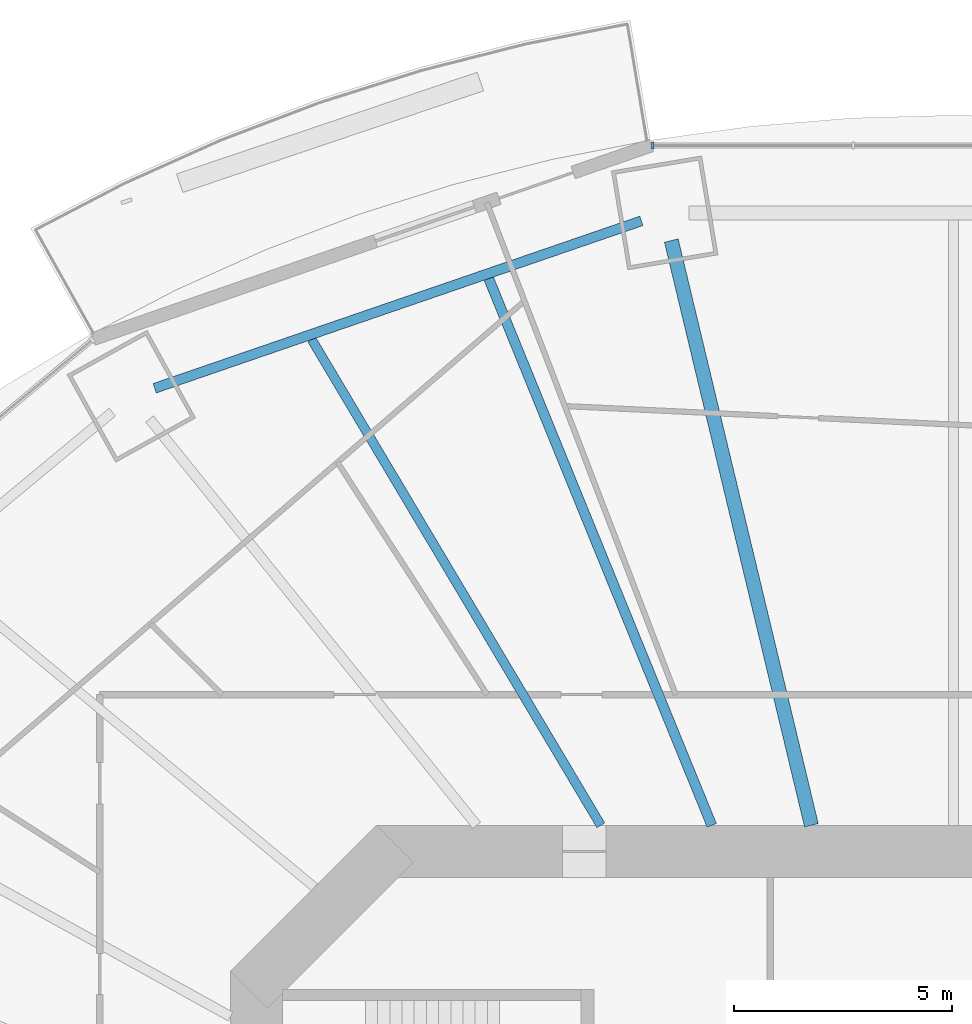
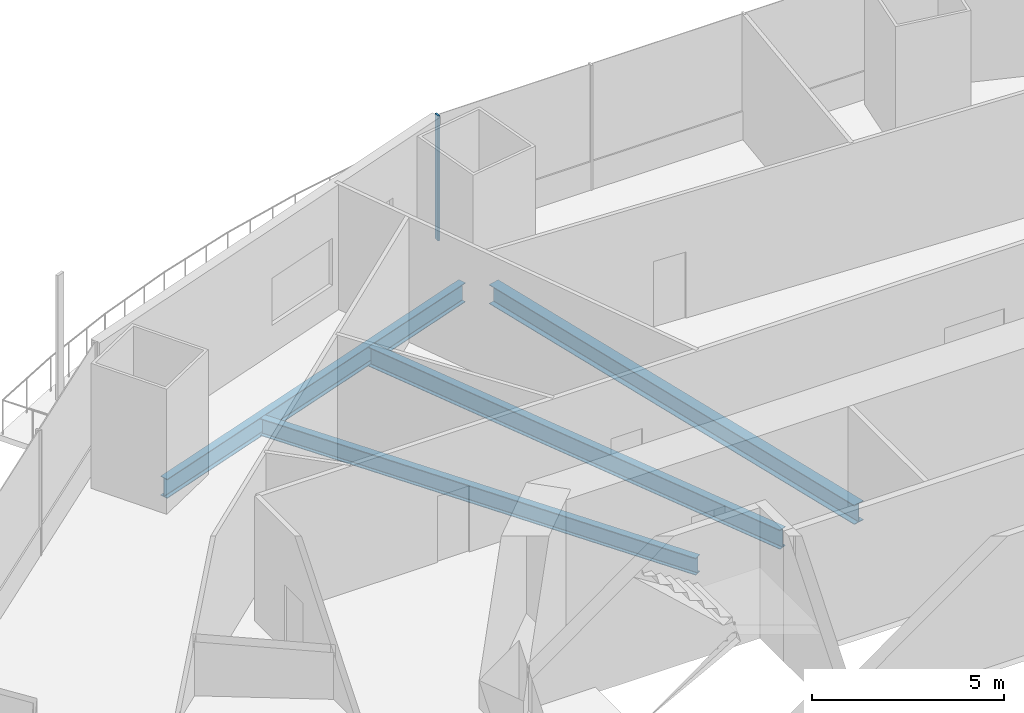
# One storey, part 7 of 22: 4 beams, 1 member, 1 element without a shape of its own.
"""IFC4 building model written with IfcOpenShell, lengths in metres."""

from ifc_helpers import new_model, si_unit, direction, frame, origin, origin_2d, place, context, subcontext, project, spatial, rectangle, i_section, extrude, material, material_profile, profile_set, type_object, element, aggregate, save


model = new_model("IFC4")

# Units and contexts
model_context = context("Model", 3, precision=1e-05, world=origin(), true_north=direction((0.0, 1.0)))
body_context = subcontext(model_context, "Body", "Model", "MODEL_VIEW")
ifc_project = project(units=[si_unit("LENGTHUNIT", "METRE"), si_unit("AREAUNIT", "SQUARE_METRE"), si_unit("VOLUMEUNIT", "CUBIC_METRE"), si_unit("PLANEANGLEUNIT", "RADIAN"), si_unit("MASSUNIT", "GRAM", prefix="KILO")], contexts=[model_context])

# Site, building, storey
site_placement = place(None, origin())
site = spatial("IfcSite", under=ifc_project, at=site_placement, CompositionType="ELEMENT")
building_placement = place(site_placement, origin())
building = spatial("IfcBuilding", under=site, at=building_placement, Name="Marenthal Gate Tower", CompositionType="ELEMENT")
storey_placement = place(building_placement, frame((0.0, 0.0, 70.35009765625)))
storey = spatial("IfcBuildingStorey", under=building, at=storey_placement, Name="L13", CompositionType="ELEMENT", Elevation=70.35009765625)

# Curtain wall, member
ifc_material_1 = material(Name="Aluminium and glass", Category="aluminium")
curtain_wall_type = type_object("IfcCurtainWallType", Name="Curtain wall typical low", PredefinedType="NOTDEFINED", material=ifc_material_1)
curtain_wall_placement = place(storey_placement, origin())
curtain_wall = element("IfcCurtainWall", 1, at=curtain_wall_placement, inside=storey, type_object=curtain_wall_type, Name="Curtain wall L13 bay 4", PredefinedType="NOTDEFINED")
ifc_material_2 = material(Name="Aluminium", Category="aluminium")
ifc_material_profile_1 = material_profile(ifc_material_2, rectangle(XDim=0.159912109375, YDim=0.06005859375, at=origin_2d()), Name="60x160 aluminium mullion")
ifc_profile_set_1 = profile_set([ifc_material_profile_1], Name="Aluminium")
member_type = type_object("IfcMemberType", Name="Mullion 60x160 typical low", PredefinedType="MULLION", material=ifc_profile_set_1)
member_placement = place(storey_placement, frame((-6.906005859375, 29.211669921875, 0.0), z_axis=(0.0, 0.0, 1.0), x_axis=(0.0, -1.0, 0.0)))
member = element("IfcMember", 2, at=member_placement, type_object=member_type, Name="Mullion L13 bay 4.4", PredefinedType="MULLION", context=body_context, shape_type="SweptSolid", body=[
    extrude(rectangle(XDim=0.159912109375, YDim=0.06005859375, at=origin_2d()), origin(), (0.0, 0.0, 1.0), 3.969970703125),
])
aggregate(curtain_wall, [member])

# Beams
ifc_material_3 = material(Name="Steel S355", Category="steel")
ifc_material_profile_2 = material_profile(ifc_material_3, i_section(OverallWidth=0.2119140625, OverallDepth=0.5439453125, WebThickness=0.01318359375, FlangeThickness=0.021240234375, FilletRadius=0.0126953125, at=origin_2d()), Name="W530X123")
ifc_profile_set_2 = profile_set([ifc_material_profile_2], Name="Steel S355")
beam_type_1 = type_object("IfcBeamType", Name="W530X123 beam", PredefinedType="BEAM", material=ifc_profile_set_2)
beam_1_placement = place(storey_placement, frame((-14.732421875, 24.754150390625, -0.4521484375), z_axis=(0.511433266122, -0.859322997658, 0.0), x_axis=(0.859322997658, 0.511433266122, 0.0)))
element("IfcBeam", 3, at=beam_1_placement, inside=storey, type_object=beam_type_1, Name="BM-L13-24", PredefinedType="BEAM", context=body_context, shape_type="SweptSolid", body=[
    extrude(i_section(OverallWidth=0.2119140625, OverallDepth=0.5439453125, WebThickness=0.01318359375, FlangeThickness=0.021240234375, FilletRadius=0.0126953125, at=origin_2d()), origin(), (0.0, 0.0, 1.0), 12.97998046875),
])
ifc_material_4 = material(Name="Steel S355", Category="steel")
ifc_material_profile_3 = material_profile(ifc_material_4, i_section(OverallWidth=0.22900390625, OverallDepth=0.612060546875, WebThickness=0.011962890625, FlangeThickness=0.01953125, FilletRadius=0.0126953125, at=origin_2d()), Name="W610X125")
ifc_profile_set_3 = profile_set([ifc_material_profile_3], Name="Steel S355")
beam_type_2 = type_object("IfcBeamType", Name="W610X125 beam", PredefinedType="BEAM", material=ifc_profile_set_3)
beam_2_placement = place(storey_placement, frame((-10.666748046875, 26.152099609375, -0.486083984375), z_axis=(0.377666991807, -0.925941490214, 0.0), x_axis=(0.925941490214, 0.377666991807, 0.0)))
element("IfcBeam", 4, at=beam_2_placement, inside=storey, type_object=beam_type_2, Name="BM-L13-23", PredefinedType="BEAM", context=body_context, shape_type="SweptSolid", body=[
    extrude(i_section(OverallWidth=0.22900390625, OverallDepth=0.612060546875, WebThickness=0.011962890625, FlangeThickness=0.01953125, FilletRadius=0.0126953125, at=origin_2d()), origin(), (0.0, 0.0, 1.0), 13.555908203125),
])
beam_3_placement = place(storey_placement, frame((-7.162109375, 27.478515625, -0.486083984375), z_axis=(-0.94564769726, -0.325192916076, 0.0), x_axis=(0.325192916076, -0.94564769726, 0.0)))
element("IfcBeam", 5, at=beam_3_placement, inside=storey, type_object=beam_type_2, Name="BM-L13-45", PredefinedType="BEAM", context=body_context, shape_type="SweptSolid", body=[
    extrude(i_section(OverallWidth=0.22900390625, OverallDepth=0.612060546875, WebThickness=0.011962890625, FlangeThickness=0.01953125, FilletRadius=0.0126953125, at=origin_2d()), origin(), (0.0, 0.0, 1.0), 11.819091796875),
])
ifc_material_5 = material(Name="Steel S355", Category="steel")
ifc_material_profile_4 = material_profile(ifc_material_5, i_section(OverallWidth=0.324951171875, OverallDepth=0.612060546875, WebThickness=0.0126953125, FlangeThickness=0.01904296875, FilletRadius=0.0126953125, at=origin_2d()), Name="W610X155")
ifc_profile_set_4 = profile_set([ifc_material_profile_4], Name="Steel S355")
beam_type_3 = type_object("IfcBeamType", Name="W610X155 beam", PredefinedType="BEAM", material=ifc_profile_set_4)
beam_4_placement = place(storey_placement, frame((-6.4755859375, 27.027099609375, -0.486083984375), z_axis=(0.233000428797, -0.972476632203, 0.0), x_axis=(0.972476632203, 0.233000428797, 0.0)))
element("IfcBeam", 6, at=beam_4_placement, inside=storey, type_object=beam_type_3, Name="BM-L13-05", PredefinedType="BEAM", context=body_context, shape_type="SweptSolid", body=[
    extrude(i_section(OverallWidth=0.324951171875, OverallDepth=0.612060546875, WebThickness=0.0126953125, FlangeThickness=0.01904296875, FilletRadius=0.0126953125, at=origin_2d()), origin(), (0.0, 0.0, 1.0), 13.80712890625),
])

save(model, "model.ifc")
